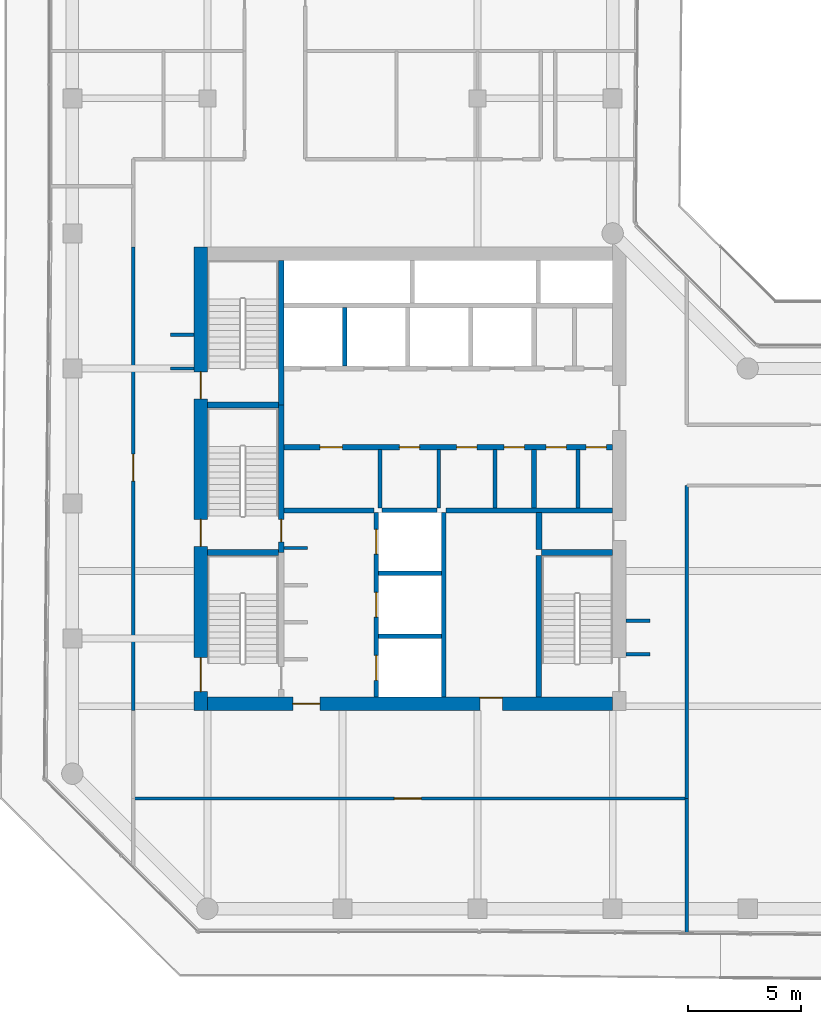
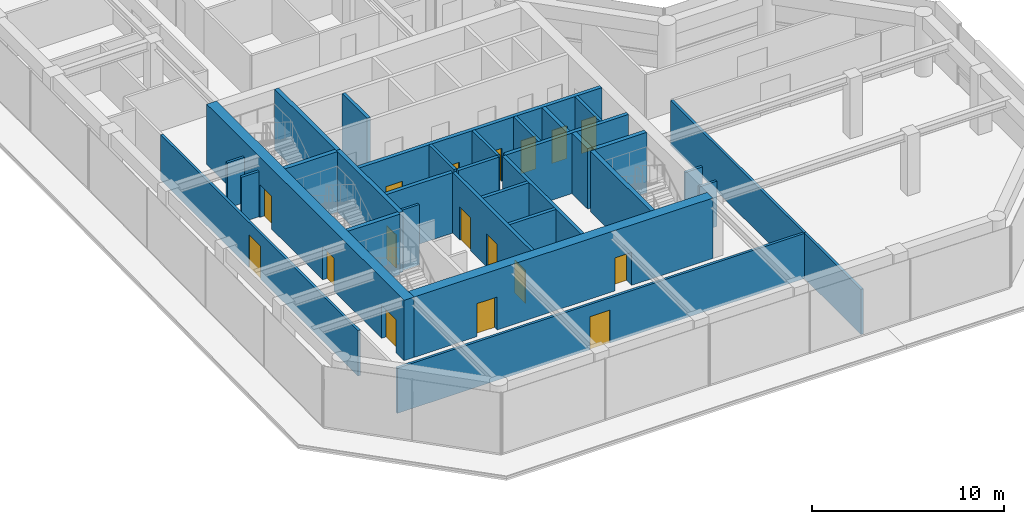
# One storey, part 15 of 19: 32 walls, 17 doors, 17 openings.
"""IFC4 building model written with IfcOpenShell, lengths in metres."""

from ifc_helpers import new_model, si_unit, direction, frame, frame_2d, origin, place, context, subcontext, project, spatial, rectangle, extrude, material, layer, layer_set, type_object, element, fill, save


model = new_model("IFC4")

# Units and contexts
model_context = context("Model", 3, precision=1e-05, world=origin(), true_north=direction((0.0, 1.0)))
body_context = subcontext(model_context, "Body", "Model", "MODEL_VIEW")
ifc_project = project(units=[si_unit("LENGTHUNIT", "METRE"), si_unit("AREAUNIT", "SQUARE_METRE"), si_unit("VOLUMEUNIT", "CUBIC_METRE"), si_unit("PLANEANGLEUNIT", "RADIAN"), si_unit("MASSUNIT", "GRAM", prefix="KILO")], contexts=[model_context])

# Site, building, storey
site_placement = place(None, origin())
site = spatial("IfcSite", under=ifc_project, at=site_placement, CompositionType="ELEMENT")
building_placement = place(site_placement, origin())
building = spatial("IfcBuilding", under=site, at=building_placement, Name="Welwitschia Terrace Campus", CompositionType="ELEMENT")
storey_placement = place(building_placement, frame((0.0, 0.0, 167.60009765625)))
storey = spatial("IfcBuildingStorey", under=building, at=storey_placement, Name="L37", CompositionType="ELEMENT", Elevation=167.60009765625)

# Walls
ifc_material_1 = material(Name="Concrete C32/40", Category="concrete")
ifc_layer_1 = layer(ifc_material_1, 0.175048828125)
ifc_layer_set_1 = layer_set([ifc_layer_1], Name="Concrete C32/40")
wall_type_1 = type_object("IfcWallType", Name="Core partition 175 Concrete C32/40", PredefinedType="PARTITIONING", material=ifc_layer_set_1)
for number, where, z_axis, x_axis, name in (
    (1, (13.675048828125, 13.800048828125, 0.0), (0.0, 0.0, 1.0), (0.0, 1.0, 0.0), "Core partition"),
    (2, (16.27490234375, 13.800048828125, 0.0), (0.0, 0.0, 1.0), (0.0, 1.0, 0.0), "Core partition"),
    (3, (18.77490234375, 13.800048828125, 0.0), (0.0, 0.0, 1.0), (0.0, 1.0, 0.0), "Core partition"),
    (4, (22.469970703125, 13.800048828125, 0.0), (0.0, 0.0, 1.0), (0.0, 1.0, 0.0), "Core partition"),
):
    element("IfcWall", number, at=place(storey_placement, frame(where, z_axis=z_axis, x_axis=x_axis)), inside=storey, type_object=wall_type_1, Name=name, PredefinedType="PARTITIONING", context=body_context, shape_type="SweptSolid", body=[
        extrude(rectangle(XDim=2.599853515625, YDim=0.175048828125, at=frame_2d((1.2998046875, 0.0))), origin(), (0.0, 0.0, 1.0), 3.849853515625),
    ])
ifc_material_2 = material(Name="Concrete C32/40", Category="concrete")
ifc_layer_2 = layer(ifc_material_2, 0.22509765625)
ifc_layer_set_2 = layer_set([ifc_layer_2], Name="Concrete C32/40")
wall_type_2 = type_object("IfcWallType", Name="Core partition 225 Concrete C32/40", PredefinedType="PARTITIONING", material=ifc_layer_set_2)
wall_1_placement = place(storey_placement, frame((9.39990234375, 13.699951171875, 0.0), z_axis=(0.0, 0.0, 1.0), x_axis=(1.0, 0.0, 0.0)))
element("IfcWall", 5, at=wall_1_placement, inside=storey, type_object=wall_type_2, Name="Core partition", PredefinedType="PARTITIONING", context=body_context, shape_type="SweptSolid", body=[
    extrude(rectangle(XDim=4.0, YDim=0.22509765625, at=frame_2d((2.0, 0.0))), origin(), (0.0, 0.0, 1.0), 3.849853515625),
])
wall_2_placement = place(storey_placement, frame((16.60009765625, 13.699951171875, 0.0), z_axis=(0.0, 0.0, 1.0), x_axis=(1.0, 0.0, 0.0)))
element("IfcWall", 6, at=wall_2_placement, inside=storey, type_object=wall_type_2, Name="Core partition", PredefinedType="PARTITIONING", context=body_context, shape_type="SweptSolid", body=[
    extrude(rectangle(XDim=7.39990234375, YDim=0.22509765625, at=frame_2d((3.699951171875, 0.0))), origin(), (0.0, 0.0, 1.0), 3.849853515625),
])

# Wall, openings, doors
wall_3_placement = place(storey_placement, frame((9.39990234375, 16.5, 0.0), z_axis=(0.0, 0.0, 1.0), x_axis=(1.0, 0.0, 0.0)))
wall_3 = element("IfcWall", 7, at=wall_3_placement, inside=storey, type_object=wall_type_2, Name="Core partition", PredefinedType="PARTITIONING", context=body_context, shape_type="SweptSolid", body=[
    extrude(rectangle(XDim=14.60009765625, YDim=0.22509765625, at=frame_2d((7.300048828125, 0.0))), origin(), (0.0, 0.0, 1.0), 3.849853515625),
])
opening_1_placement = place(wall_3_placement, frame((1.60009765625, 0.0, 0.0)))
opening_1 = element("IfcOpeningElement", 8, at=opening_1_placement, cuts=wall_3, Name="Opening DR10", PredefinedType="OPENING", context=body_context, shape_type="SweptSolid", body=[
    extrude(rectangle(XDim=1.0, YDim=2.10009765625, at=frame_2d((0.5, 1.050048828125))), frame((0.0, 0.12255859375, 0.0), z_axis=(0.0, -1.0, 0.0), x_axis=(1.0, 0.0, 0.0)), (0.0, 0.0, 1.0), 0.2451171875),
])
opening_2_placement = place(wall_3_placement, frame((5.125, 0.0, 0.0)))
opening_2 = element("IfcOpeningElement", 9, at=opening_2_placement, cuts=wall_3, Name="Opening DR09", PredefinedType="OPENING", context=body_context, shape_type="SweptSolid", body=[
    extrude(rectangle(XDim=0.89990234375, YDim=2.10009765625, at=frame_2d((0.449951171875, 1.050048828125))), frame((0.0, 0.12255859375, 0.0), z_axis=(0.0, -1.0, 0.0), x_axis=(1.0, 0.0, 0.0)), (0.0, 0.0, 1.0), 0.2451171875),
])
opening_3_placement = place(wall_3_placement, frame((7.675048828125, 0.0, 0.0)))
opening_3 = element("IfcOpeningElement", 10, at=opening_3_placement, cuts=wall_3, Name="Opening DR09", PredefinedType="OPENING", context=body_context, shape_type="SweptSolid", body=[
    extrude(rectangle(XDim=0.89990234375, YDim=2.10009765625, at=frame_2d((0.449951171875, 1.050048828125))), frame((0.0, 0.12255859375, 0.0), z_axis=(0.0, -1.0, 0.0), x_axis=(1.0, 0.0, 0.0)), (0.0, 0.0, 1.0), 0.2451171875),
])
opening_4_placement = place(wall_3_placement, frame((9.77490234375, 0.0, 0.0)))
opening_4 = element("IfcOpeningElement", 11, at=opening_4_placement, cuts=wall_3, Name="Opening DR09", PredefinedType="OPENING", context=body_context, shape_type="SweptSolid", body=[
    extrude(rectangle(XDim=0.89990234375, YDim=2.10009765625, at=frame_2d((0.449951171875, 1.050048828125))), frame((0.0, 0.12255859375, 0.0), z_axis=(0.0, -1.0, 0.0), x_axis=(1.0, 0.0, 0.0)), (0.0, 0.0, 1.0), 0.2451171875),
])
opening_5_placement = place(wall_3_placement, frame((11.6474609375, 0.0, 0.0)))
opening_5 = element("IfcOpeningElement", 12, at=opening_5_placement, cuts=wall_3, Name="Opening DR09", PredefinedType="OPENING", context=body_context, shape_type="SweptSolid", body=[
    extrude(rectangle(XDim=0.89990234375, YDim=2.10009765625, at=frame_2d((0.449951171875, 1.050048828125))), frame((0.0, 0.12255859375, 0.0), z_axis=(0.0, -1.0, 0.0), x_axis=(1.0, 0.0, 0.0)), (0.0, 0.0, 1.0), 0.2451171875),
])
opening_6_placement = place(wall_3_placement, frame((13.422607421875, 0.0, 0.0)))
opening_6 = element("IfcOpeningElement", 13, at=opening_6_placement, cuts=wall_3, Name="Opening DR09", PredefinedType="OPENING", context=body_context, shape_type="SweptSolid", body=[
    extrude(rectangle(XDim=0.89990234375, YDim=2.10009765625, at=frame_2d((0.449951171875, 1.050048828125))), frame((0.0, 0.12255859375, 0.0), z_axis=(0.0, -1.0, 0.0), x_axis=(1.0, 0.0, 0.0)), (0.0, 0.0, 1.0), 0.2451171875),
])
ifc_material_3 = material(Name="Steel S275", Category="steel")
door_type_1 = type_object("IfcDoorType", Name="Core door DR09", OperationType="SINGLE_SWING_LEFT", PredefinedType="DOOR", material=ifc_material_3)
door_1_placement = place(opening_2_placement, origin())
door_1 = element("IfcDoor", 14, at=door_1_placement, inside=storey, type_object=door_type_1, Name="Door BAYL2-D", OperationType="SINGLE_SWING_LEFT", OverallHeight=2.10009765625, OverallWidth=0.89990234375, PredefinedType="DOOR", context=body_context, shape_type="SweptSolid", body=[
    extrude(rectangle(XDim=0.89990234375, YDim=2.10009765625, at=frame_2d((0.449951171875, 1.050048828125))), frame((0.0, 0.02490234375, 0.0), z_axis=(0.0, -1.0, 0.0), x_axis=(1.0, 0.0, 0.0)), (0.0, 0.0, 1.0), 0.050048828125),
])
fill(opening_2, door_1)
door_2_placement = place(opening_3_placement, origin())
door_2 = element("IfcDoor", 15, at=door_2_placement, inside=storey, type_object=door_type_1, Name="Door BAYL3-D", OperationType="SINGLE_SWING_RIGHT", OverallHeight=2.10009765625, OverallWidth=0.89990234375, PredefinedType="DOOR", context=body_context, shape_type="SweptSolid", body=[
    extrude(rectangle(XDim=0.89990234375, YDim=2.10009765625, at=frame_2d((0.449951171875, 1.050048828125))), frame((0.0, 0.02490234375, 0.0), z_axis=(0.0, -1.0, 0.0), x_axis=(1.0, 0.0, 0.0)), (0.0, 0.0, 1.0), 0.050048828125),
])
fill(opening_3, door_2)
door_3_placement = place(opening_4_placement, origin())
door_3 = element("IfcDoor", 16, at=door_3_placement, inside=storey, type_object=door_type_1, Name="Door BAYL4-D", OperationType="SINGLE_SWING_RIGHT", OverallHeight=2.10009765625, OverallWidth=0.89990234375, PredefinedType="DOOR", context=body_context, shape_type="SweptSolid", body=[
    extrude(rectangle(XDim=0.89990234375, YDim=2.10009765625, at=frame_2d((0.449951171875, 1.050048828125))), frame((0.0, 0.02490234375, 0.0), z_axis=(0.0, -1.0, 0.0), x_axis=(1.0, 0.0, 0.0)), (0.0, 0.0, 1.0), 0.050048828125),
])
fill(opening_4, door_3)
door_4_placement = place(opening_5_placement, origin())
door_4 = element("IfcDoor", 17, at=door_4_placement, inside=storey, type_object=door_type_1, Name="Door EL1-D", OperationType="SINGLE_SWING_RIGHT", OverallHeight=2.10009765625, OverallWidth=0.89990234375, PredefinedType="DOOR", context=body_context, shape_type="SweptSolid", body=[
    extrude(rectangle(XDim=0.89990234375, YDim=2.10009765625, at=frame_2d((0.449951171875, 1.050048828125))), frame((0.0, 0.02490234375, 0.0), z_axis=(0.0, -1.0, 0.0), x_axis=(1.0, 0.0, 0.0)), (0.0, 0.0, 1.0), 0.050048828125),
])
fill(opening_5, door_4)
door_5_placement = place(opening_6_placement, origin())
door_5 = element("IfcDoor", 18, at=door_5_placement, inside=storey, type_object=door_type_1, Name="Door EL2-D", OperationType="SINGLE_SWING_RIGHT", OverallHeight=2.10009765625, OverallWidth=0.89990234375, PredefinedType="DOOR", context=body_context, shape_type="SweptSolid", body=[
    extrude(rectangle(XDim=0.89990234375, YDim=2.10009765625, at=frame_2d((0.449951171875, 1.050048828125))), frame((0.0, 0.02490234375, 0.0), z_axis=(0.0, -1.0, 0.0), x_axis=(1.0, 0.0, 0.0)), (0.0, 0.0, 1.0), 0.050048828125),
])
fill(opening_6, door_5)
ifc_material_4 = material(Name="Steel S275", Category="steel")
door_type_2 = type_object("IfcDoorType", Name="Core door DR10", OperationType="SINGLE_SWING_LEFT", PredefinedType="DOOR", material=ifc_material_4)
door_6_placement = place(opening_1_placement, origin())
door_6 = element("IfcDoor", 19, at=door_6_placement, inside=storey, type_object=door_type_2, Name="Door BAYL1-D", OperationType="SINGLE_SWING_LEFT", OverallHeight=2.10009765625, OverallWidth=1.0, PredefinedType="DOOR", context=body_context, shape_type="SweptSolid", body=[
    extrude(rectangle(XDim=1.0, YDim=2.10009765625, at=frame_2d((0.5, 1.050048828125))), frame((0.0, 0.02490234375, 0.0), z_axis=(0.0, -1.0, 0.0), x_axis=(1.0, 0.0, 0.0)), (0.0, 0.0, 1.0), 0.050048828125),
])
fill(opening_1, door_6)

# Walls
wall_4_placement = place(storey_placement, frame((20.5, 13.800048828125, 0.0), z_axis=(0.0, 0.0, 1.0), x_axis=(0.0, 1.0, 0.0)))
element("IfcWall", 20, at=wall_4_placement, inside=storey, type_object=wall_type_2, Name="Core partition", PredefinedType="PARTITIONING", context=body_context, shape_type="SweptSolid", body=[
    extrude(rectangle(XDim=2.599853515625, YDim=0.22509765625, at=frame_2d((1.2998046875, 0.0))), origin(), (0.0, 0.0, 1.0), 3.849853515625),
])
ifc_material_5 = material(Name="Concrete C32/40", Category="concrete")
ifc_layer_3 = layer(ifc_material_5, 0.27490234375)
ifc_layer_set_3 = layer_set([ifc_layer_3], Name="Concrete C32/40")
wall_type_3 = type_object("IfcWallType", Name="Core partition 275 Concrete C32/40", PredefinedType="PARTITIONING", material=ifc_layer_set_3)
wall_5_placement = place(storey_placement, frame((20.72509765625, 11.949951171875, 0.0), z_axis=(0.0, 0.0, 1.0), x_axis=(0.0, 1.0, 0.0)))
element("IfcWall", 21, at=wall_5_placement, inside=storey, type_object=wall_type_3, Name="Core partition", PredefinedType="PARTITIONING", context=body_context, shape_type="SweptSolid", body=[
    extrude(rectangle(XDim=1.650146484375, YDim=0.27490234375, at=frame_2d((0.8251953125, 0.0))), origin(), (0.0, 0.0, 1.0), 3.849853515625),
])
ifc_material_6 = material(Name="Concrete C50/60", Category="concrete")
ifc_layer_4 = layer(ifc_material_6, 0.14990234375)
ifc_layer_set_4 = layer_set([ifc_layer_4], Name="Concrete C50/60")
wall_type_4 = type_object("IfcWallType", Name="Core wall 150 Concrete C50/60", PredefinedType="SHEAR", material=ifc_layer_set_4)
wall_6_placement = place(storey_placement, frame((9.39990234375, 12.02490234375, 0.0), z_axis=(0.0, 0.0, 1.0), x_axis=(1.0, 0.0, 0.0)))
element("IfcWall", 22, at=wall_6_placement, inside=storey, type_object=wall_type_4, Name="Core wall", PredefinedType="SHEAR", context=body_context, shape_type="SweptSolid", body=[
    extrude(rectangle(XDim=1.050048828125, YDim=0.14990234375, at=frame_2d((0.52490234375, 0.0))), origin(), (0.0, 0.0, 1.0), 3.849853515625),
])
ifc_material_7 = material(Name="Concrete C50/60", Category="concrete")
ifc_layer_5 = layer(ifc_material_7, 0.199951171875)
ifc_layer_set_5 = layer_set([ifc_layer_5], Name="Concrete C50/60")
wall_type_5 = type_object("IfcWallType", Name="Core wall 200 Concrete C50/60", PredefinedType="SHEAR", material=ifc_layer_set_5)
for number, where, z_axis, x_axis, name in (
    (23, (13.60009765625, 8.10009765625, 0.0), (0.0, 0.0, 1.0), (1.0, 0.0, 0.0), "Core wall"),
    (24, (13.60009765625, 10.89990234375, 0.0), (0.0, 0.0, 1.0), (1.0, 0.0, 0.0), "Core wall"),
):
    element("IfcWall", number, at=place(storey_placement, frame(where, z_axis=z_axis, x_axis=x_axis)), inside=storey, type_object=wall_type_5, Name=name, PredefinedType="SHEAR", context=body_context, shape_type="SweptSolid", body=[
        extrude(rectangle(XDim=2.7998046875, YDim=0.199951171875, at=frame_2d((1.39990234375, 0.0))), origin(), (0.0, 0.0, 1.0), 3.849853515625),
    ])
wall_7_placement = place(storey_placement, frame((13.75, 13.699951171875, 0.0), z_axis=(0.0, 0.0, 1.0), x_axis=(1.0, 0.0, 0.0)))
element("IfcWall", 25, at=wall_7_placement, inside=storey, type_object=wall_type_5, Name="Core wall", PredefinedType="SHEAR", context=body_context, shape_type="SweptSolid", body=[
    extrude(rectangle(XDim=2.449951171875, YDim=0.199951171875, at=frame_2d((1.22509765625, 0.0))), origin(), (0.0, 0.0, 1.0), 3.849853515625),
])

# Wall, openings, doors
wall_8_placement = place(storey_placement, frame((13.5, 5.39990234375, 0.0), z_axis=(0.0, 0.0, 1.0), x_axis=(0.0, 1.0, 0.0)))
wall_8 = element("IfcWall", 26, at=wall_8_placement, inside=storey, type_object=wall_type_5, Name="Core wall", PredefinedType="SHEAR", context=body_context, shape_type="SweptSolid", body=[
    extrude(rectangle(XDim=8.2001953125, YDim=0.199951171875, at=frame_2d((4.10009765625, 0.0))), origin(), (0.0, 0.0, 1.0), 3.849853515625),
])
opening_7_placement = place(wall_8_placement, frame((0.75, 0.0, 0.0)))
opening_7 = element("IfcOpeningElement", 27, at=opening_7_placement, cuts=wall_8, Name="Opening LD", PredefinedType="OPENING", context=body_context, shape_type="SweptSolid", body=[
    extrude(rectangle(XDim=1.10009765625, YDim=2.10009765625, at=frame_2d((0.550048828125, 1.050048828125))), frame((0.0, 0.10986328125, 0.0), z_axis=(0.0, -1.0, 0.0), x_axis=(1.0, 0.0, 0.0)), (0.0, 0.0, 1.0), 0.219970703125),
])
opening_8_placement = place(wall_8_placement, frame((3.550048828125, 0.0, 0.0)))
opening_8 = element("IfcOpeningElement", 28, at=opening_8_placement, cuts=wall_8, Name="Opening LD", PredefinedType="OPENING", context=body_context, shape_type="SweptSolid", body=[
    extrude(rectangle(XDim=1.10009765625, YDim=2.10009765625, at=frame_2d((0.550048828125, 1.050048828125))), frame((0.0, 0.10986328125, 0.0), z_axis=(0.0, -1.0, 0.0), x_axis=(1.0, 0.0, 0.0)), (0.0, 0.0, 1.0), 0.219970703125),
])
opening_9_placement = place(wall_8_placement, frame((6.35009765625, 0.0, 0.0)))
opening_9 = element("IfcOpeningElement", 29, at=opening_9_placement, cuts=wall_8, Name="Opening LD", PredefinedType="OPENING", context=body_context, shape_type="SweptSolid", body=[
    extrude(rectangle(XDim=1.10009765625, YDim=2.10009765625, at=frame_2d((0.550048828125, 1.050048828125))), frame((0.0, 0.10986328125, 0.0), z_axis=(0.0, -1.0, 0.0), x_axis=(1.0, 0.0, 0.0)), (0.0, 0.0, 1.0), 0.219970703125),
])
ifc_material_8 = material(Name="Stainless steel 304", Category="steel")
door_type_3 = type_object("IfcDoorType", Name="Lift landing door", OperationType="DOUBLE_DOOR_SLIDING", PredefinedType="DOOR", material=ifc_material_8)
door_7_placement = place(opening_7_placement, origin())
door_7 = element("IfcDoor", 30, at=door_7_placement, inside=storey, type_object=door_type_3, Name="Landing door FF1", OperationType="DOUBLE_DOOR_SLIDING", OverallHeight=2.10009765625, OverallWidth=1.10009765625, PredefinedType="DOOR", context=body_context, shape_type="SweptSolid", body=[
    extrude(rectangle(XDim=1.10009765625, YDim=2.10009765625, at=frame_2d((0.550048828125, 1.050048828125))), frame((0.0, 0.02490234375, 0.0), z_axis=(0.0, -1.0, 0.0), x_axis=(1.0, 0.0, 0.0)), (0.0, 0.0, 1.0), 0.050048828125),
])
fill(opening_7, door_7)
door_8_placement = place(opening_8_placement, origin())
door_8 = element("IfcDoor", 31, at=door_8_placement, inside=storey, type_object=door_type_3, Name="Landing door FF2", OperationType="DOUBLE_DOOR_SLIDING", OverallHeight=2.10009765625, OverallWidth=1.10009765625, PredefinedType="DOOR", context=body_context, shape_type="SweptSolid", body=[
    extrude(rectangle(XDim=1.10009765625, YDim=2.10009765625, at=frame_2d((0.550048828125, 1.050048828125))), frame((0.0, 0.02490234375, 0.0), z_axis=(0.0, -1.0, 0.0), x_axis=(1.0, 0.0, 0.0)), (0.0, 0.0, 1.0), 0.050048828125),
])
fill(opening_8, door_8)
door_9_placement = place(opening_9_placement, origin())
door_9 = element("IfcDoor", 32, at=door_9_placement, inside=storey, type_object=door_type_3, Name="Landing door SV1", OperationType="DOUBLE_DOOR_SLIDING", OverallHeight=2.10009765625, OverallWidth=1.10009765625, PredefinedType="DOOR", context=body_context, shape_type="SweptSolid", body=[
    extrude(rectangle(XDim=1.10009765625, YDim=2.10009765625, at=frame_2d((0.550048828125, 1.050048828125))), frame((0.0, 0.02490234375, 0.0), z_axis=(0.0, -1.0, 0.0), x_axis=(1.0, 0.0, 0.0)), (0.0, 0.0, 1.0), 0.050048828125),
])
fill(opening_9, door_9)

# Walls
wall_9_placement = place(storey_placement, frame((16.5, 5.39990234375, 0.0), z_axis=(0.0, 0.0, 1.0), x_axis=(0.0, 1.0, 0.0)))
element("IfcWall", 33, at=wall_9_placement, inside=storey, type_object=wall_type_5, Name="Core wall", PredefinedType="SHEAR", context=body_context, shape_type="SweptSolid", body=[
    extrude(rectangle(XDim=8.2001953125, YDim=0.199951171875, at=frame_2d((4.10009765625, 0.0))), origin(), (0.0, 0.0, 1.0), 3.849853515625),
])
ifc_material_9 = material(Name="Concrete C50/60", Category="concrete")
ifc_layer_6 = layer(ifc_material_9, 0.25)
ifc_layer_set_6 = layer_set([ifc_layer_6], Name="Concrete C50/60")
wall_type_6 = type_object("IfcWallType", Name="Core wall 250 Concrete C50/60", PredefinedType="SHEAR", material=ifc_layer_set_6)
for number, where, z_axis, x_axis, name in (
    (34, (6.0, 11.824951171875, 0.0), (0.0, 0.0, 1.0), (1.0, 0.0, 0.0), "Core wall"),
    (35, (20.85009765625, 11.824951171875, 0.0), (0.0, 0.0, 1.0), (1.0, 0.0, 0.0), "Core wall"),
    (36, (6.0, 18.375, 0.0), (0.0, 0.0, 1.0), (1.0, 0.0, 0.0), "Core wall"),
):
    element("IfcWall", number, at=place(storey_placement, frame(where, z_axis=z_axis, x_axis=x_axis)), inside=storey, type_object=wall_type_6, Name=name, PredefinedType="SHEAR", context=body_context, shape_type="SweptSolid", body=[
        extrude(rectangle(XDim=3.14990234375, YDim=0.25, at=frame_2d((1.574951171875, 0.0))), origin(), (0.0, 0.0, 1.0), 3.849853515625),
    ])

# Wall, opening, door
wall_10_placement = place(storey_placement, frame((9.27490234375, 18.375, 0.0), z_axis=(0.0, 0.0, 1.0), x_axis=(0.0, -1.0, 0.0)))
wall_10 = element("IfcWall", 37, at=wall_10_placement, inside=storey, type_object=wall_type_6, Name="Core wall", PredefinedType="SHEAR", context=body_context, shape_type="SweptSolid", body=[
    extrude(rectangle(XDim=6.550048828125, YDim=0.25, at=frame_2d((3.27490234375, 0.0))), origin(), (0.0, 0.0, 1.0), 3.849853515625),
])
opening_10_placement = place(wall_10_placement, frame((5.074951171875, 0.0, 0.0)))
opening_10 = element("IfcOpeningElement", 38, at=opening_10_placement, cuts=wall_10, Name="Opening DS10", PredefinedType="OPENING", context=body_context, shape_type="SweptSolid", body=[
    extrude(rectangle(XDim=1.0, YDim=2.10009765625, at=frame_2d((0.5, 1.050048828125))), frame((0.0, 0.135009765625, 0.0), z_axis=(0.0, -1.0, 0.0), x_axis=(1.0, 0.0, 0.0)), (0.0, 0.0, 1.0), 0.27001953125),
])
ifc_material_10 = material(Name="Steel S275", Category="steel")
door_type_4 = type_object("IfcDoorType", Name="Core door DS10", OperationType="SINGLE_SWING_LEFT", PredefinedType="DOOR", material=ifc_material_10)
door_10_placement = place(opening_10_placement, origin())
door_10 = element("IfcDoor", 39, at=door_10_placement, inside=storey, type_object=door_type_4, Name="Door S3-FL", OperationType="SINGLE_SWING_RIGHT", OverallHeight=2.10009765625, OverallWidth=1.0, PredefinedType="DOOR", context=body_context, shape_type="SweptSolid", body=[
    extrude(rectangle(XDim=1.0, YDim=2.10009765625, at=frame_2d((0.5, 1.050048828125))), frame((0.0, 0.02490234375, 0.0), z_axis=(0.0, -1.0, 0.0), x_axis=(1.0, 0.0, 0.0)), (0.0, 0.0, 1.0), 0.050048828125),
])
fill(opening_10, door_10)

# Walls
wall_11_placement = place(storey_placement, frame((9.27490234375, 18.375, 0.0), z_axis=(0.0, 0.0, 1.0), x_axis=(0.0, 1.0, 0.0)))
element("IfcWall", 40, at=wall_11_placement, inside=storey, type_object=wall_type_6, Name="Core wall", PredefinedType="SHEAR", context=body_context, shape_type="SweptSolid", body=[
    extrude(rectangle(XDim=6.425048828125, YDim=0.25, at=frame_2d((3.21240234375, 0.0))), origin(), (0.0, 0.0, 1.0), 3.849853515625),
])
wall_12_placement = place(storey_placement, frame((20.72509765625, 5.39990234375, 0.0), z_axis=(0.0, 0.0, 1.0), x_axis=(0.0, 1.0, 0.0)))
element("IfcWall", 41, at=wall_12_placement, inside=storey, type_object=wall_type_6, Name="Core wall", PredefinedType="SHEAR", context=body_context, shape_type="SweptSolid", body=[
    extrude(rectangle(XDim=6.300048828125, YDim=0.25, at=frame_2d((3.14990234375, 0.0))), origin(), (0.0, 0.0, 1.0), 3.849853515625),
])

# Wall, openings, doors
ifc_material_11 = material(Name="Concrete C60/75", Category="concrete")
ifc_layer_7 = layer(ifc_material_11, 0.60009765625)
ifc_layer_set_7 = layer_set([ifc_layer_7], Name="Concrete C60/75")
wall_type_7 = type_object("IfcWallType", Name="Core wall 600 Concrete C60/75", PredefinedType="SHEAR", material=ifc_layer_set_7)
wall_13_placement = place(storey_placement, frame((5.699951171875, 4.800048828125, 0.0), z_axis=(0.0, 0.0, 1.0), x_axis=(0.0, 1.0, 0.0)))
wall_13 = element("IfcWall", 42, at=wall_13_placement, inside=storey, type_object=wall_type_7, Name="Core outer wall", PredefinedType="SHEAR", context=body_context, shape_type="SweptSolid", body=[
    extrude(rectangle(XDim=20.599853515625, YDim=0.60009765625, at=frame_2d((10.2998046875, 0.0))), origin(), (0.0, 0.0, 1.0), 3.849853515625),
])
opening_11_placement = place(wall_13_placement, frame((0.85009765625, 0.0, 0.0)))
opening_11 = element("IfcOpeningElement", 43, at=opening_11_placement, cuts=wall_13, Name="Opening DS15", PredefinedType="OPENING", context=body_context, shape_type="SweptSolid", body=[
    extrude(rectangle(XDim=1.5, YDim=2.10009765625, at=frame_2d((0.75, 1.050048828125))), frame((0.0, 0.31005859375, 0.0), z_axis=(0.0, -1.0, 0.0), x_axis=(1.0, 0.0, 0.0)), (0.0, 0.0, 1.0), 0.6201171875),
])
opening_12_placement = place(wall_13_placement, frame((7.300048828125, 0.0, 0.0)))
opening_12 = element("IfcOpeningElement", 44, at=opening_12_placement, cuts=wall_13, Name="Opening DS12", PredefinedType="OPENING", context=body_context, shape_type="SweptSolid", body=[
    extrude(rectangle(XDim=1.199951171875, YDim=2.10009765625, at=frame_2d((0.60009765625, 1.050048828125))), frame((0.0, 0.31005859375, 0.0), z_axis=(0.0, -1.0, 0.0), x_axis=(1.0, 0.0, 0.0)), (0.0, 0.0, 1.0), 0.6201171875),
])
opening_13_placement = place(wall_13_placement, frame((13.85009765625, 0.0, 0.0)))
opening_13 = element("IfcOpeningElement", 45, at=opening_13_placement, cuts=wall_13, Name="Opening DS12", PredefinedType="OPENING", context=body_context, shape_type="SweptSolid", body=[
    extrude(rectangle(XDim=1.199951171875, YDim=2.10009765625, at=frame_2d((0.60009765625, 1.050048828125))), frame((0.0, 0.31005859375, 0.0), z_axis=(0.0, -1.0, 0.0), x_axis=(1.0, 0.0, 0.0)), (0.0, 0.0, 1.0), 0.6201171875),
])
ifc_material_12 = material(Name="Steel S275", Category="steel")
door_type_5 = type_object("IfcDoorType", Name="Core door DS12", OperationType="SINGLE_SWING_LEFT", PredefinedType="DOOR", material=ifc_material_12)
door_11_placement = place(opening_12_placement, origin())
door_11 = element("IfcDoor", 46, at=door_11_placement, inside=storey, type_object=door_type_5, Name="Door S3-out", OperationType="SINGLE_SWING_LEFT", OverallHeight=2.10009765625, OverallWidth=1.199951171875, PredefinedType="DOOR", context=body_context, shape_type="SweptSolid", body=[
    extrude(rectangle(XDim=1.199951171875, YDim=2.10009765625, at=frame_2d((0.60009765625, 1.050048828125))), frame((0.0, 0.02490234375, 0.0), z_axis=(0.0, -1.0, 0.0), x_axis=(1.0, 0.0, 0.0)), (0.0, 0.0, 1.0), 0.050048828125),
])
fill(opening_12, door_11)
door_12_placement = place(opening_13_placement, origin())
door_12 = element("IfcDoor", 47, at=door_12_placement, inside=storey, type_object=door_type_5, Name="Door S4-out", OperationType="SINGLE_SWING_RIGHT", OverallHeight=2.10009765625, OverallWidth=1.199951171875, PredefinedType="DOOR", context=body_context, shape_type="SweptSolid", body=[
    extrude(rectangle(XDim=1.199951171875, YDim=2.10009765625, at=frame_2d((0.60009765625, 1.050048828125))), frame((0.0, 0.02490234375, 0.0), z_axis=(0.0, -1.0, 0.0), x_axis=(1.0, 0.0, 0.0)), (0.0, 0.0, 1.0), 0.050048828125),
])
fill(opening_13, door_12)
ifc_material_13 = material(Name="Steel S275", Category="steel")
door_type_6 = type_object("IfcDoorType", Name="Core door DS15", OperationType="DOUBLE_DOOR_SINGLE_SWING", PredefinedType="DOOR", material=ifc_material_13)
door_13_placement = place(opening_11_placement, origin())
door_13 = element("IfcDoor", 48, at=door_13_placement, inside=storey, type_object=door_type_6, Name="Door S1-out", OperationType="DOUBLE_DOOR_SINGLE_SWING", OverallHeight=2.10009765625, OverallWidth=1.5, PredefinedType="DOOR", context=body_context, shape_type="SweptSolid", body=[
    extrude(rectangle(XDim=1.5, YDim=2.10009765625, at=frame_2d((0.75, 1.050048828125))), frame((0.0, 0.02490234375, 0.0), z_axis=(0.0, -1.0, 0.0), x_axis=(1.0, 0.0, 0.0)), (0.0, 0.0, 1.0), 0.050048828125),
])
fill(opening_11, door_13)

wall_14_placement = place(storey_placement, frame((24.0, 5.10009765625, 0.0), z_axis=(0.0, 0.0, 1.0), x_axis=(-1.0, 0.0, 0.0)))
wall_14 = element("IfcWall", 49, at=wall_14_placement, inside=storey, type_object=wall_type_7, Name="Core outer wall", PredefinedType="SHEAR", context=body_context, shape_type="SweptSolid", body=[
    extrude(rectangle(XDim=18.0, YDim=0.60009765625, at=frame_2d((9.0, 0.0))), origin(), (0.0, 0.0, 1.0), 3.849853515625),
])
opening_14_placement = place(wall_14_placement, frame((13.0, 0.0, 0.0)))
opening_14 = element("IfcOpeningElement", 50, at=opening_14_placement, cuts=wall_14, Name="Opening DF12", PredefinedType="OPENING", context=body_context, shape_type="SweptSolid", body=[
    extrude(rectangle(XDim=1.199951171875, YDim=2.10009765625, at=frame_2d((0.60009765625, 1.050048828125))), frame((0.0, 0.31005859375, 0.0), z_axis=(0.0, -1.0, 0.0), x_axis=(1.0, 0.0, 0.0)), (0.0, 0.0, 1.0), 0.6201171875),
])
opening_15_placement = place(wall_14_placement, frame((4.89990234375, 0.0, 0.0)))
opening_15 = element("IfcOpeningElement", 51, at=opening_15_placement, cuts=wall_14, Name="Opening DR10", PredefinedType="OPENING", context=body_context, shape_type="SweptSolid", body=[
    extrude(rectangle(XDim=1.0, YDim=2.10009765625, at=frame_2d((0.5, 1.050048828125))), frame((0.0, 0.31005859375, 0.0), z_axis=(0.0, -1.0, 0.0), x_axis=(1.0, 0.0, 0.0)), (0.0, 0.0, 1.0), 0.6201171875),
])
ifc_material_14 = material(Name="Steel S275", Category="steel")
door_type_7 = type_object("IfcDoorType", Name="Core door DF12", OperationType="SINGLE_SWING_LEFT", PredefinedType="DOOR", material=ifc_material_14)
door_14_placement = place(opening_14_placement, origin())
door_14 = element("IfcDoor", 52, at=door_14_placement, inside=storey, type_object=door_type_7, Name="Door FL-out", OperationType="SINGLE_SWING_RIGHT", OverallHeight=2.10009765625, OverallWidth=1.199951171875, PredefinedType="DOOR", context=body_context, shape_type="SweptSolid", body=[
    extrude(rectangle(XDim=1.199951171875, YDim=2.10009765625, at=frame_2d((0.60009765625, 1.050048828125))), frame((0.0, 0.02490234375, 0.0), z_axis=(0.0, -1.0, 0.0), x_axis=(1.0, 0.0, 0.0)), (0.0, 0.0, 1.0), 0.050048828125),
])
fill(opening_14, door_14)
door_15_placement = place(opening_15_placement, origin())
door_15 = element("IfcDoor", 53, at=door_15_placement, inside=storey, type_object=door_type_2, Name="Door F1-out", OperationType="SINGLE_SWING_LEFT", OverallHeight=2.10009765625, OverallWidth=1.0, PredefinedType="DOOR", context=body_context, shape_type="SweptSolid", body=[
    extrude(rectangle(XDim=1.0, YDim=2.10009765625, at=frame_2d((0.5, 1.050048828125))), frame((0.0, -0.23974609375, 0.0), z_axis=(0.0, -1.0, 0.0), x_axis=(1.0, 0.0, 0.0)), (0.0, 0.0, 1.0), 0.050048828125),
])
fill(opening_15, door_15)

# Wall, opening, door
ifc_material_15 = material(Name="Gypsum board on steel studs", Category="steel")
ifc_layer_8 = layer(ifc_material_15, 0.14990234375)
ifc_layer_set_8 = layer_set([ifc_layer_8], Name="Gypsum board on steel studs")
wall_type_8 = type_object("IfcWallType", Name="Corridor partition 150 EI 30", PredefinedType="PARTITIONING", material=ifc_layer_set_8)
wall_15_placement = place(storey_placement, frame((2.699951171875, 4.800048828125, 0.0), z_axis=(0.0, 0.0, 1.0), x_axis=(0.0, 1.0, 0.0)))
wall_15 = element("IfcWall", 54, at=wall_15_placement, inside=storey, type_object=wall_type_8, Name="Partition", PredefinedType="PARTITIONING", context=body_context, shape_type="SweptSolid", body=[
    extrude(rectangle(XDim=20.599853515625, YDim=0.14990234375, at=frame_2d((10.2998046875, 0.0))), origin(), (0.0, 0.0, 1.0), 2.8798828125),
])
opening_16_placement = place(wall_15_placement, frame((10.199951171875, 0.0, 0.0)))
opening_16 = element("IfcOpeningElement", 55, at=opening_16_placement, cuts=wall_15, Name="Opening DI12", PredefinedType="OPENING", context=body_context, shape_type="SweptSolid", body=[
    extrude(rectangle(XDim=1.199951171875, YDim=2.10009765625, at=frame_2d((0.60009765625, 1.050048828125))), frame((0.0, 0.0849609375, 0.0), z_axis=(0.0, -1.0, 0.0), x_axis=(1.0, 0.0, 0.0)), (0.0, 0.0, 1.0), 0.169921875),
])
ifc_material_16 = material(Name="Timber veneered door", Category="wood")
door_type_8 = type_object("IfcDoorType", Name="Interior door DI12", OperationType="NOTDEFINED", PredefinedType="DOOR", material=ifc_material_16)
door_16_placement = place(opening_16_placement, origin())
door_16 = element("IfcDoor", 56, at=door_16_placement, inside=storey, type_object=door_type_8, Name="Door L37 742", OperationType="SINGLE_SWING_LEFT", OverallHeight=2.10009765625, OverallWidth=1.199951171875, PredefinedType="DOOR", context=body_context, shape_type="SweptSolid", body=[
    extrude(rectangle(XDim=1.199951171875, YDim=2.10009765625, at=frame_2d((0.60009765625, 1.050048828125))), frame((0.0, 0.02490234375, 0.0), z_axis=(0.0, -1.0, 0.0), x_axis=(1.0, 0.0, 0.0)), (0.0, 0.0, 1.0), 0.050048828125),
])
fill(opening_16, door_16)

# Walls
for number, where, z_axis, x_axis, name in (
    (57, (4.35009765625, 20.0, 0.0), (0.0, 0.0, 1.0), (1.0, 0.0, 0.0), "Partition"),
    (58, (4.35009765625, 21.5, 0.0), (0.0, 0.0, 1.0), (1.0, 0.0, 0.0), "Partition"),
    (59, (24.60009765625, 7.300048828125, 0.0), (0.0, 0.0, 1.0), (1.0, 0.0, 0.0), "Partition"),
    (60, (24.60009765625, 8.800048828125, 0.0), (0.0, 0.0, 1.0), (1.0, 0.0, 0.0), "Partition"),
):
    element("IfcWall", number, at=place(storey_placement, frame(where, z_axis=z_axis, x_axis=x_axis)), inside=storey, type_object=wall_type_8, Name=name, PredefinedType="PARTITIONING", context=body_context, shape_type="SweptSolid", body=[
        extrude(rectangle(XDim=1.0498046875, YDim=0.14990234375, at=frame_2d((0.52490234375, 0.0))), origin(), (0.0, 0.0, 1.0), 2.8798828125),
    ])
wall_16_placement = place(storey_placement, frame((27.300048828125, -5.06005859375, 0.0), z_axis=(0.0, 0.0, 1.0), x_axis=(0.0, 1.0, 0.0)))
element("IfcWall", 61, at=wall_16_placement, inside=storey, type_object=wall_type_8, Name="Partition", PredefinedType="PARTITIONING", context=body_context, shape_type="SweptSolid", body=[
    extrude(rectangle(XDim=5.9599609375, YDim=0.14990234375, at=frame_2d((2.97998046875, 0.0))), origin(), (0.0, 0.0, 1.0), 2.8798828125),
])

# Wall, opening, door
wall_17_placement = place(storey_placement, frame((27.300048828125, 0.89990234375, 0.0), z_axis=(0.0, 0.0, 1.0), x_axis=(-1.0, 0.0, 0.0)))
wall_17 = element("IfcWall", 62, at=wall_17_placement, inside=storey, type_object=wall_type_8, Name="Partition", PredefinedType="PARTITIONING", context=body_context, shape_type="SweptSolid", body=[
    extrude(rectangle(XDim=24.60009765625, YDim=0.14990234375, at=frame_2d((12.300048828125, 0.0))), origin(), (0.0, 0.0, 1.0), 2.8798828125),
])
opening_17_placement = place(wall_17_placement, frame((11.800048828125, 0.0, 0.0)))
opening_17 = element("IfcOpeningElement", 63, at=opening_17_placement, cuts=wall_17, Name="Opening DI12", PredefinedType="OPENING", context=body_context, shape_type="SweptSolid", body=[
    extrude(rectangle(XDim=1.199951171875, YDim=2.10009765625, at=frame_2d((0.60009765625, 1.050048828125))), frame((0.0, 0.0849609375, 0.0), z_axis=(0.0, -1.0, 0.0), x_axis=(1.0, 0.0, 0.0)), (0.0, 0.0, 1.0), 0.169921875),
])
door_17_placement = place(opening_17_placement, origin())
door_17 = element("IfcDoor", 64, at=door_17_placement, inside=storey, type_object=door_type_8, Name="Door L37 755", OperationType="SINGLE_SWING_RIGHT", OverallHeight=2.10009765625, OverallWidth=1.199951171875, PredefinedType="DOOR", context=body_context, shape_type="SweptSolid", body=[
    extrude(rectangle(XDim=1.199951171875, YDim=2.10009765625, at=frame_2d((0.60009765625, 1.050048828125))), frame((0.0, 0.02490234375, 0.0), z_axis=(0.0, -1.0, 0.0), x_axis=(1.0, 0.0, 0.0)), (0.0, 0.0, 1.0), 0.050048828125),
])
fill(opening_17, door_17)

# Walls
wall_18_placement = place(storey_placement, frame((27.300048828125, 0.89990234375, 0.0), z_axis=(0.0, 0.0, 1.0), x_axis=(0.0, 1.0, 0.0)))
element("IfcWall", 65, at=wall_18_placement, inside=storey, type_object=wall_type_8, Name="Partition", PredefinedType="PARTITIONING", context=body_context, shape_type="SweptSolid", body=[
    extrude(rectangle(XDim=13.900146484375, YDim=0.14990234375, at=frame_2d((6.9501953125, 0.0))), origin(), (0.0, 0.0, 1.0), 2.8798828125),
])
ifc_material_17 = material(Name="Concrete C32/40", Category="concrete")
ifc_layer_9 = layer(ifc_material_17, 0.199951171875)
ifc_layer_set_9 = layer_set([ifc_layer_9], Name="Concrete C32/40")
wall_type_9 = type_object("IfcWallType", Name="Shaft wall 200 Concrete C32/40", PredefinedType="SOLIDWALL", material=ifc_layer_set_9)
wall_19_placement = place(storey_placement, frame((12.10009765625, 20.10009765625, 0.0), z_axis=(0.0, 0.0, 1.0), x_axis=(0.0, 1.0, 0.0)))
element("IfcWall", 66, at=wall_19_placement, inside=storey, type_object=wall_type_9, Name="Shaft wall", PredefinedType="SOLIDWALL", context=body_context, shape_type="SweptSolid", body=[
    extrude(rectangle(XDim=2.599853515625, YDim=0.199951171875, at=frame_2d((1.2998046875, 0.0))), origin(), (0.0, 0.0, 1.0), 3.849853515625),
])

save(model, "model.ifc")
